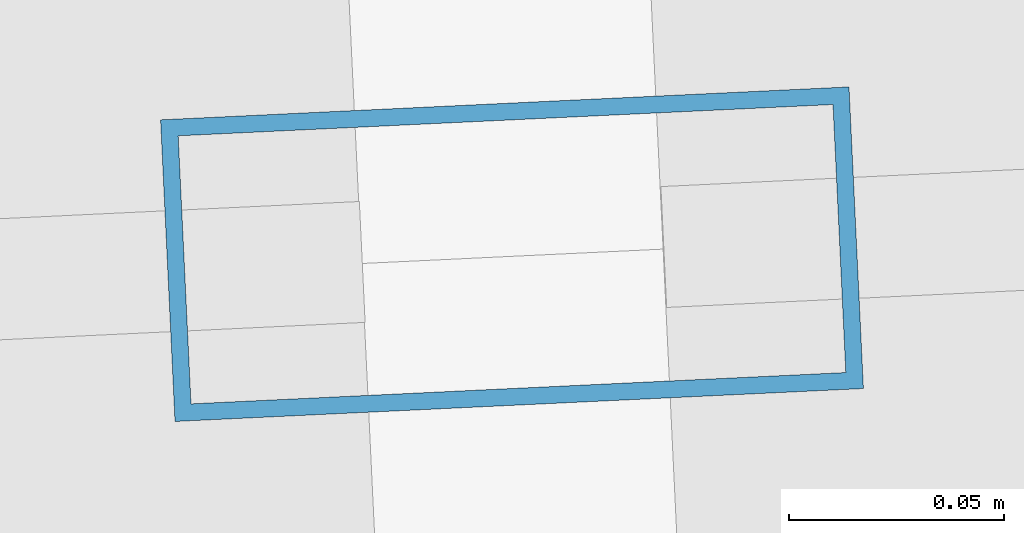
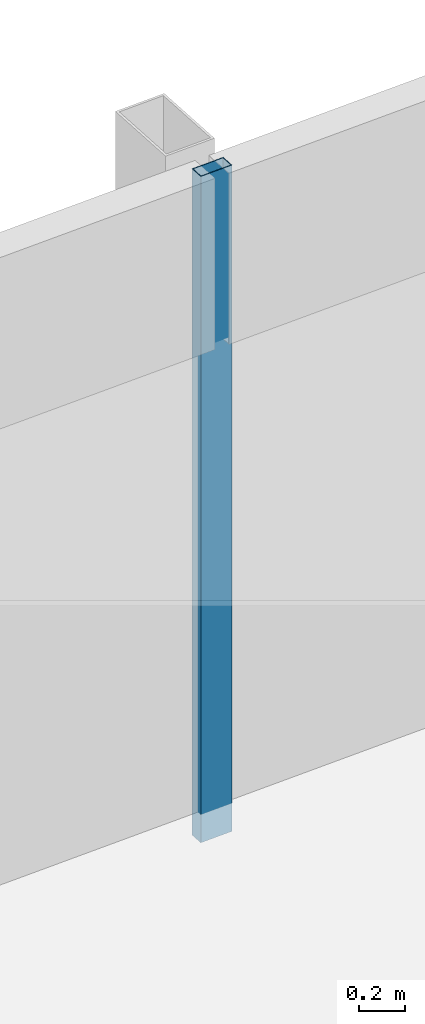
# One storey, part 21 of 40: 1 member, 1 element without a shape of its own.
"""IFC4 building model written with IfcOpenShell, lengths in metres."""

from ifc_helpers import new_model, si_unit, direction, frame, origin, origin_2d, place, context, subcontext, project, spatial, hollow_rectangle, extrude, material, material_profile, profile_set, type_object, element, aggregate, save


model = new_model("IFC4")

# Units and contexts
model_context = context("Model", 3, precision=1e-05, world=origin(), true_north=direction((0.0, 1.0)))
body_context = subcontext(model_context, "Body", "Model", "MODEL_VIEW")
ifc_project = project(units=[si_unit("LENGTHUNIT", "METRE"), si_unit("AREAUNIT", "SQUARE_METRE"), si_unit("VOLUMEUNIT", "CUBIC_METRE"), si_unit("PLANEANGLEUNIT", "RADIAN"), si_unit("MASSUNIT", "GRAM", prefix="KILO")], contexts=[model_context])

# Site, building, storey
site_placement = place(None, origin())
site = spatial("IfcSite", under=ifc_project, at=site_placement, CompositionType="ELEMENT")
building_placement = place(site_placement, origin())
building = spatial("IfcBuilding", under=site, at=building_placement, Name="Rekha Terrace Tower", CompositionType="ELEMENT")
storey_placement = place(building_placement, frame((0.0, 0.0, 210.199951171875)))
storey = spatial("IfcBuildingStorey", under=building, at=storey_placement, Name="L53", CompositionType="ELEMENT", Elevation=210.199951171875)

# Curtain wall, member
ifc_material_1 = material(Name="Aluminium framing", Category="aluminium")
curtain_wall_type = type_object("IfcCurtainWallType", Name="CW3 north unitised glazing", PredefinedType="USERDEFINED", material=ifc_material_1)
curtain_wall_placement = place(storey_placement, origin())
curtain_wall = element("IfcCurtainWall", 1, at=curtain_wall_placement, inside=storey, type_object=curtain_wall_type, Name="CW3 unitised curtain wall", ObjectType="UNITISED CURTAIN WALL", PredefinedType="USERDEFINED")
ifc_material_2 = material(Name="Aluminium mullion section", Category="aluminium")
ifc_material_profile = material_profile(ifc_material_2, hollow_rectangle(XDim=0.070068359375, YDim=0.159912109375, WallThickness=0.00390625, at=origin_2d()), Name="AL RHS 70x160")
ifc_profile_set = profile_set([ifc_material_profile], Name="Aluminium mullion section")
member_type = type_object("IfcMemberType", Name="CW3 mullion RHS 70 x 160", PredefinedType="MULLION", material=ifc_profile_set)
member_placement = place(storey_placement, frame((38.570068359375, 61.771240234375, 0.0), z_axis=(0.0, 0.0, 1.0), x_axis=(0.047758616983, -0.998858906204, 0.0)))
member = element("IfcMember", 2, at=member_placement, type_object=member_type, Name="CW3 mullion 2", PredefinedType="MULLION", context=body_context, shape_type="SweptSolid", body=[
    extrude(hollow_rectangle(XDim=0.070068359375, YDim=0.159912109375, WallThickness=0.00390625, at=origin_2d()), origin(), (0.0, 0.0, 1.0), 3.5),
])
aggregate(curtain_wall, [member])

save(model, "model.ifc")
